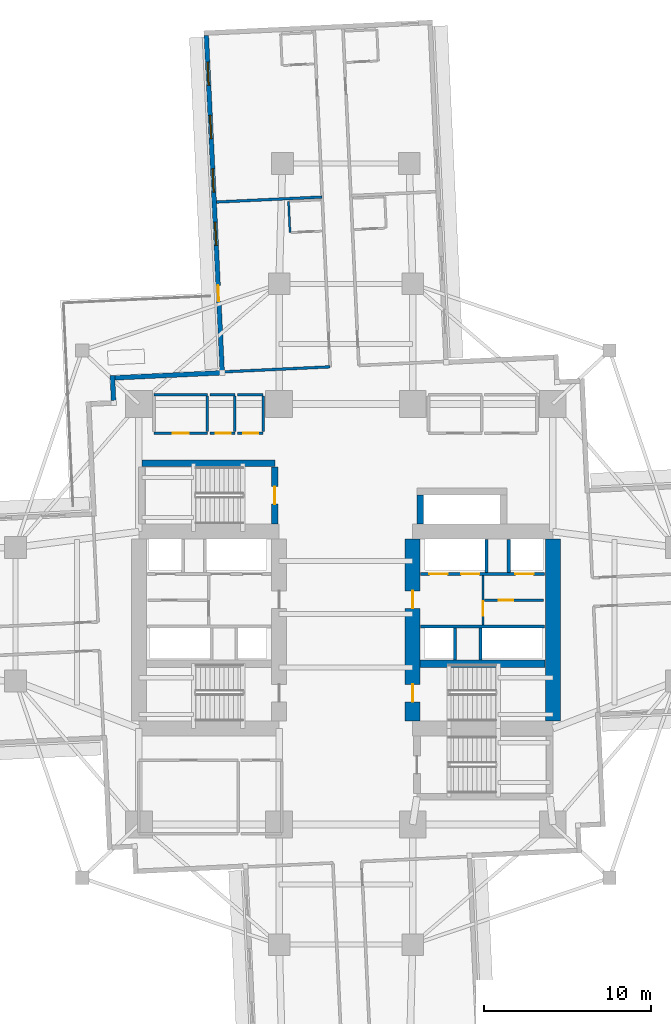
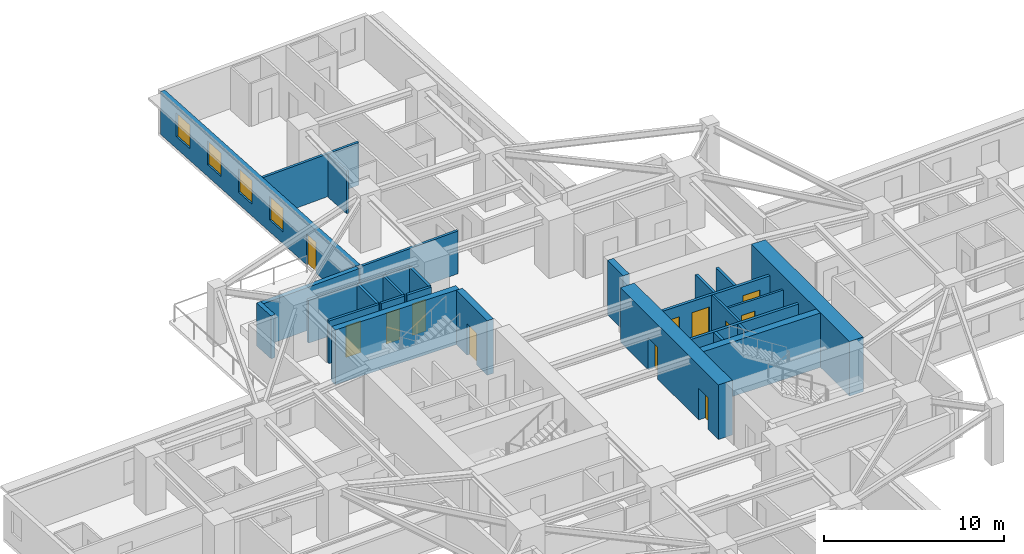
# One storey, part 6 of 14: 29 walls, 12 doors, 4 windows, 16 openings.
"""IFC4 building model written with IfcOpenShell, lengths in metres."""

from ifc_helpers import new_model, si_unit, direction, frame, frame_2d, origin, place, context, subcontext, project, spatial, rectangle, extrude, material, layer, layer_set, type_object, element, fill, save


model = new_model("IFC4")

# Units and contexts
model_context = context("Model", 3, precision=1e-05, world=origin(), true_north=direction((0.0, 1.0)))
body_context = subcontext(model_context, "Body", "Model", "MODEL_VIEW")
ifc_project = project(units=[si_unit("LENGTHUNIT", "METRE"), si_unit("AREAUNIT", "SQUARE_METRE"), si_unit("VOLUMEUNIT", "CUBIC_METRE"), si_unit("PLANEANGLEUNIT", "RADIAN"), si_unit("MASSUNIT", "GRAM", prefix="KILO")], contexts=[model_context])

# Site, building, storey
site_placement = place(None, origin())
site = spatial("IfcSite", under=ifc_project, at=site_placement, CompositionType="ELEMENT")
building_placement = place(site_placement, origin())
building = spatial("IfcBuilding", under=site, at=building_placement, Name="Qingluan Cross Belvedere", CompositionType="ELEMENT")
storey_placement = place(building_placement, frame((0.0, 0.0, 35.39990234375)))
storey = spatial("IfcBuildingStorey", under=building, at=storey_placement, Name="L09", CompositionType="ELEMENT", Elevation=35.39990234375)

# Walls
ifc_material_1 = material(Name="Concrete C50", Category="concrete")
ifc_layer_1 = layer(ifc_material_1, 0.449951171875, Name="CoreShearWall_450")
ifc_layer_set_1 = layer_set([ifc_layer_1], Name="Concrete C50")
wall_type_1 = type_object("IfcWallType", Name="CoreShearWall_450", PredefinedType="SHEAR", material=ifc_layer_set_1)
wall_1_placement = place(storey_placement, frame((4.455078125, -2.9599609375, 0.0), z_axis=(0.0, 0.0, 1.0), x_axis=(1.0, 0.0, 0.0)))
element("IfcWall", 1, at=wall_1_placement, inside=storey, type_object=wall_type_1, Name="Split core E shear wall L09-M", PredefinedType="SHEAR", context=body_context, shape_type="SweptSolid", body=[
    extrude(rectangle(XDim=7.489990234375, YDim=0.449951171875, at=frame_2d((3.7451171875, 0.0))), origin(), (0.0, 0.0, 1.0), 3.7001953125),
])
wall_2_placement = place(storey_placement, frame((-12.219970703125, 9.0400390625, 0.0), z_axis=(0.0, 0.0, 1.0), x_axis=(1.0, 0.0, 0.0)))
element("IfcWall", 2, at=wall_2_placement, inside=storey, type_object=wall_type_1, Name="Stair ST3 structural wall N L09", PredefinedType="SHEAR", context=body_context, shape_type="SweptSolid", body=[
    extrude(rectangle(XDim=7.9599609375, YDim=0.39990234375, at=frame_2d((3.97998046875, 0.0))), origin(), (0.0, 0.0, 1.0), 3.7001953125),
])

# Wall, opening, door
wall_3_placement = place(storey_placement, frame((-4.260009765625, 5.405029296875, 0.0), z_axis=(0.0, 0.0, 1.0), x_axis=(0.0, 1.0, 0.0)))
wall_3 = element("IfcWall", 3, at=wall_3_placement, inside=storey, type_object=wall_type_1, Name="Stair ST3 structural wall E L09", PredefinedType="SHEAR", context=body_context, shape_type="SweptSolid", body=[
    extrude(rectangle(XDim=3.429931640625, YDim=0.39990234375, at=frame_2d((1.71484375, 0.0))), origin(), (0.0, 0.0, 1.0), 3.7001953125),
])
opening_1_placement = place(wall_3_placement, frame((1.195068359375, 0.0, 0.0)))
opening_1 = element("IfcOpeningElement", 4, at=opening_1_placement, cuts=wall_3, Name="Opening FD-B11", PredefinedType="OPENING", context=body_context, shape_type="SweptSolid", body=[
    extrude(rectangle(XDim=1.050048828125, YDim=2.14990234375, at=frame_2d((0.52490234375, 1.074951171875))), frame((0.0, 0.2099609375, 0.0), z_axis=(0.0, -1.0, 0.0), x_axis=(1.0, 0.0, 0.0)), (0.0, 0.0, 1.0), 0.419921875),
])
ifc_material_2 = material(Name="Steel Class B smoke-seal fire door", Category="steel")
door_type_1 = type_object("IfcDoorType", Name="StairLobbyFireDoor_FDB", OperationType="NOTDEFINED", PredefinedType="DOOR", material=ifc_material_2)
door_1_placement = place(opening_1_placement, origin())
door_1 = element("IfcDoor", 5, at=door_1_placement, inside=storey, type_object=door_type_1, Name="Smoke-proof stair ST3 fire door L09", OperationType="SINGLE_SWING_RIGHT", OverallHeight=2.14990234375, OverallWidth=1.050048828125, PredefinedType="DOOR", context=body_context, shape_type="SweptSolid", body=[
    extrude(rectangle(XDim=1.050048828125, YDim=2.14990234375, at=frame_2d((0.52490234375, 1.074951171875))), frame((0.0, 0.02490234375, 0.0), z_axis=(0.0, -1.0, 0.0), x_axis=(1.0, 0.0, 0.0)), (0.0, 0.0, 1.0), 0.050048828125),
])
fill(opening_1, door_1)

# Wall
wall_4_placement = place(storey_placement, frame((4.449951171875, 5.405029296875, 0.0), z_axis=(0.0, 0.0, 1.0), x_axis=(0.0, 1.0, 0.0)))
element("IfcWall", 6, at=wall_4_placement, inside=storey, type_object=wall_type_1, Name="Express shuttle core wall L09-W", PredefinedType="SHEAR", context=body_context, shape_type="SweptSolid", body=[
    extrude(rectangle(XDim=1.73486328125, YDim=0.39990234375, at=frame_2d((0.867431640625, 0.0))), origin(), (0.0, 0.0, 1.0), 3.7001953125),
])

# Wall, openings, doors
ifc_material_3 = material(Name="Concrete C70", Category="concrete")
ifc_layer_2 = layer(ifc_material_3, 0.89990234375, Name="CoreShearWall_900")
ifc_layer_set_2 = layer_set([ifc_layer_2], Name="Concrete C70")
wall_type_2 = type_object("IfcWallType", Name="CoreShearWall_900", PredefinedType="SHEAR", material=ifc_layer_set_2)
wall_5_placement = place(storey_placement, frame((4.0, -6.39501953125, 0.0), z_axis=(0.0, 0.0, 1.0), x_axis=(0.0, 1.0, 0.0)))
wall_5 = element("IfcWall", 7, at=wall_5_placement, inside=storey, type_object=wall_type_2, Name="Split core E shear wall L09-W", PredefinedType="SHEAR", context=body_context, shape_type="SweptSolid", body=[
    extrude(rectangle(XDim=10.89013671875, YDim=0.89990234375, at=frame_2d((5.445068359375, 0.0))), origin(), (0.0, 0.0, 1.0), 3.7001953125),
])
opening_2_placement = place(wall_5_placement, frame((1.14501953125, 0.0, 0.0)))
opening_2 = element("IfcOpeningElement", 8, at=opening_2_placement, cuts=wall_5, Name="Opening FD-B11", PredefinedType="OPENING", context=body_context, shape_type="SweptSolid", body=[
    extrude(rectangle(XDim=1.050048828125, YDim=2.14990234375, at=frame_2d((0.52490234375, 1.074951171875))), frame((0.0, 0.4599609375, 0.0), z_axis=(0.0, -1.0, 0.0), x_axis=(1.0, 0.0, 0.0)), (0.0, 0.0, 1.0), 0.919921875),
])
opening_3_placement = place(wall_5_placement, frame((6.7451171875, 0.0, 0.0)))
opening_3 = element("IfcOpeningElement", 9, at=opening_3_placement, cuts=wall_5, Name="Opening FD-B11", PredefinedType="OPENING", context=body_context, shape_type="SweptSolid", body=[
    extrude(rectangle(XDim=1.050048828125, YDim=2.14990234375, at=frame_2d((0.52490234375, 1.074951171875))), frame((0.0, 0.4599609375, 0.0), z_axis=(0.0, -1.0, 0.0), x_axis=(1.0, 0.0, 0.0)), (0.0, 0.0, 1.0), 0.919921875),
])
door_2_placement = place(opening_2_placement, origin())
door_2 = element("IfcDoor", 10, at=door_2_placement, inside=storey, type_object=door_type_1, Name="Smoke-proof stair ST2 fire door L09", OperationType="SINGLE_SWING_LEFT", OverallHeight=2.14990234375, OverallWidth=1.050048828125, PredefinedType="DOOR", context=body_context, shape_type="SweptSolid", body=[
    extrude(rectangle(XDim=1.050048828125, YDim=2.14990234375, at=frame_2d((0.52490234375, 1.074951171875))), frame((0.0, 0.02490234375, 0.0), z_axis=(0.0, -1.0, 0.0), x_axis=(1.0, 0.0, 0.0)), (0.0, 0.0, 1.0), 0.050048828125),
])
fill(opening_2, door_2)
door_3_placement = place(opening_3_placement, origin())
door_3 = element("IfcDoor", 11, at=door_3_placement, inside=storey, type_object=door_type_1, Name="Firefighting lobby East fire door L09", OperationType="SINGLE_SWING_LEFT", OverallHeight=2.14990234375, OverallWidth=1.050048828125, PredefinedType="DOOR", context=body_context, shape_type="SweptSolid", body=[
    extrude(rectangle(XDim=1.050048828125, YDim=2.14990234375, at=frame_2d((0.52490234375, 1.074951171875))), frame((0.0, 0.02490234375, 0.0), z_axis=(0.0, -1.0, 0.0), x_axis=(1.0, 0.0, 0.0)), (0.0, 0.0, 1.0), 0.050048828125),
])
fill(opening_3, door_3)

# Wall
wall_6_placement = place(storey_placement, frame((12.39990234375, -6.39501953125, 0.0), z_axis=(0.0, 0.0, 1.0), x_axis=(0.0, 1.0, 0.0)))
element("IfcWall", 12, at=wall_6_placement, inside=storey, type_object=wall_type_2, Name="Split core E shear wall L09-E", PredefinedType="SHEAR", context=body_context, shape_type="SweptSolid", body=[
    extrude(rectangle(XDim=10.89013671875, YDim=0.89990234375, at=frame_2d((5.445068359375, 0.0))), origin(), (0.0, 0.0, 1.0), 3.7001953125),
])

# Wall, opening, door
ifc_material_4 = material(Name="Gypsum plasterboard on steel stud acoustic partition", Category="steel")
ifc_layer_3 = layer(ifc_material_4, 0.159912109375, Name="CorridorPartition_160")
ifc_layer_set_3 = layer_set([ifc_layer_3], Name="Gypsum plasterboard on steel stud acoustic partition")
wall_type_3 = type_object("IfcWallType", Name="CorridorPartition_160", PredefinedType="PARTITIONING", material=ifc_layer_set_3)
wall_7_placement = place(storey_placement, frame((8.298095703125, 0.830078125, 0.0), z_axis=(0.0, 0.0, 1.0), x_axis=(1.0, 0.0, 0.0)))
wall_7 = element("IfcWall", 13, at=wall_7_placement, inside=storey, type_object=wall_type_3, Name="Partition L09:e", PredefinedType="PARTITIONING", context=body_context, shape_type="SweptSolid", body=[
    extrude(rectangle(XDim=3.552001953125, YDim=0.139892578125, at=frame_2d((1.77587890625, 0.0))), origin(), (0.0, 0.0, 1.0), 2.900146484375),
])
opening_4_placement = place(wall_7_placement, frame((0.85009765625, 0.0, 0.0)))
opening_4 = element("IfcOpeningElement", 14, at=opening_4_placement, cuts=wall_7, Name="Opening FD-B10", PredefinedType="OPENING", context=body_context, shape_type="SweptSolid", body=[
    extrude(rectangle(XDim=0.8798828125, YDim=2.10009765625, at=frame_2d((0.43994140625, 1.050048828125))), frame((0.0, 0.079833984375, 0.0), z_axis=(0.0, -1.0, 0.0), x_axis=(1.0, 0.0, 0.0)), (0.0, 0.0, 1.0), 0.159912109375),
])
ifc_material_5 = material(Name="Steel Class B service fire door", Category="steel")
door_type_2 = type_object("IfcDoorType", Name="RiserServiceFireDoor_FDB", OperationType="NOTDEFINED", PredefinedType="DOOR", material=ifc_material_5)
door_4_placement = place(opening_4_placement, origin())
door_4 = element("IfcDoor", 15, at=door_4_placement, inside=storey, type_object=door_type_2, Name="Service closet inner door L09", OperationType="SINGLE_SWING_LEFT", OverallHeight=2.10009765625, OverallWidth=0.8798828125, PredefinedType="DOOR", context=body_context, shape_type="SweptSolid", body=[
    extrude(rectangle(XDim=0.8798828125, YDim=2.10009765625, at=frame_2d((0.43994140625, 1.050048828125))), frame((0.0, 0.02490234375, 0.0), z_axis=(0.0, -1.0, 0.0), x_axis=(1.0, 0.0, 0.0)), (0.0, 0.0, 1.0), 0.050048828125),
])
fill(opening_4, door_4)

wall_8_placement = place(storey_placement, frame((-11.5, 10.85009765625, 0.0), z_axis=(0.0, 0.0, 1.0), x_axis=(1.0, 0.0, 0.0)))
wall_8 = element("IfcWall", 16, at=wall_8_placement, inside=storey, type_object=wall_type_3, Name="Partition L09:q_nw_occ:S", PredefinedType="PARTITIONING", context=body_context, shape_type="SweptSolid", body=[
    extrude(rectangle(XDim=3.199951171875, YDim=0.159912109375, at=frame_2d((1.60009765625, 0.0))), origin(), (0.0, 0.0, 1.0), 2.900146484375),
])
opening_5_placement = place(wall_8_placement, frame((1.1201171875, 0.0, 0.0)))
opening_5 = element("IfcOpeningElement", 17, at=opening_5_placement, cuts=wall_8, Name="Opening GD-10", PredefinedType="OPENING", context=body_context, shape_type="SweptSolid", body=[
    extrude(rectangle(XDim=0.9599609375, YDim=2.14990234375, at=frame_2d((0.47998046875, 1.074951171875))), frame((0.0, 0.08984375, 0.0), z_axis=(0.0, -1.0, 0.0), x_axis=(1.0, 0.0, 0.0)), (0.0, 0.0, 1.0), 0.179931640625),
])
ifc_material_6 = material(Name="Timber oak fire-rated acoustic guestroom door", Category="wood")
door_type_3 = type_object("IfcDoorType", Name="GuestEntryDoor_FD60", OperationType="NOTDEFINED", PredefinedType="DOOR", material=ifc_material_6)
door_5_placement = place(opening_5_placement, origin())
door_5 = element("IfcDoor", 18, at=door_5_placement, inside=storey, type_object=door_type_3, Name="Northwest corner reading salon L09 door", OperationType="SINGLE_SWING_RIGHT", OverallHeight=2.14990234375, OverallWidth=0.9599609375, PredefinedType="DOOR", context=body_context, shape_type="SweptSolid", body=[
    extrude(rectangle(XDim=0.9599609375, YDim=2.14990234375, at=frame_2d((0.47998046875, 1.074951171875))), frame((0.0, 0.02490234375, 0.0), z_axis=(0.0, -1.0, 0.0), x_axis=(1.0, 0.0, 0.0)), (0.0, 0.0, 1.0), 0.050048828125),
])
fill(opening_5, door_5)

# Walls
wall_9_placement = place(storey_placement, frame((-11.5, 13.14990234375, 0.0), z_axis=(0.0, 0.0, 1.0), x_axis=(1.0, 0.0, 0.0)))
element("IfcWall", 19, at=wall_9_placement, inside=storey, type_object=wall_type_3, Name="Partition L09:q_nw_occ:N", PredefinedType="PARTITIONING", context=body_context, shape_type="SweptSolid", body=[
    extrude(rectangle(XDim=3.199951171875, YDim=0.159912109375, at=frame_2d((1.60009765625, 0.0))), origin(), (0.0, 0.0, 1.0), 2.900146484375),
])
wall_10_placement = place(storey_placement, frame((-8.300048828125, 10.93505859375, 0.0), z_axis=(0.0, 0.0, 1.0), x_axis=(0.0, 1.0, 0.0)))
element("IfcWall", 20, at=wall_10_placement, inside=storey, type_object=wall_type_3, Name="Partition L09:q_nw_occ:E", PredefinedType="PARTITIONING", context=body_context, shape_type="SweptSolid", body=[
    extrude(rectangle(XDim=2.1298828125, YDim=0.159912109375, at=frame_2d((1.06494140625, 0.0))), origin(), (0.0, 0.0, 1.0), 2.900146484375),
])

# Wall, opening, door
wall_11_placement = place(storey_placement, frame((-8.139892578125, 10.85009765625, 0.0), z_axis=(0.0, 0.0, 1.0), x_axis=(1.0, 0.0, 0.0)))
wall_11 = element("IfcWall", 21, at=wall_11_placement, inside=storey, type_object=wall_type_3, Name="Partition L09:hk_linen:S", PredefinedType="PARTITIONING", context=body_context, shape_type="SweptSolid", body=[
    extrude(rectangle(XDim=1.489990234375, YDim=0.159912109375, at=frame_2d((0.7451171875, 0.0))), origin(), (0.0, 0.0, 1.0), 2.900146484375),
])
opening_6_placement = place(wall_11_placement, frame((0.35009765625, 0.0, 0.0)))
opening_6 = element("IfcOpeningElement", 22, at=opening_6_placement, cuts=wall_11, Name="Opening FD-B10", PredefinedType="OPENING", context=body_context, shape_type="SweptSolid", body=[
    extrude(rectangle(XDim=0.8798828125, YDim=2.10009765625, at=frame_2d((0.43994140625, 1.050048828125))), frame((0.0, 0.08984375, 0.0), z_axis=(0.0, -1.0, 0.0), x_axis=(1.0, 0.0, 0.0)), (0.0, 0.0, 1.0), 0.179931640625),
])
door_6_placement = place(opening_6_placement, origin())
door_6 = element("IfcDoor", 23, at=door_6_placement, inside=storey, type_object=door_type_2, Name="Housekeeping and linen store L09 door", OperationType="SINGLE_SWING_LEFT", OverallHeight=2.10009765625, OverallWidth=0.8798828125, PredefinedType="DOOR", context=body_context, shape_type="SweptSolid", body=[
    extrude(rectangle(XDim=0.8798828125, YDim=2.10009765625, at=frame_2d((0.43994140625, 1.050048828125))), frame((0.0, 0.02490234375, 0.0), z_axis=(0.0, -1.0, 0.0), x_axis=(1.0, 0.0, 0.0)), (0.0, 0.0, 1.0), 0.050048828125),
])
fill(opening_6, door_6)

# Walls
wall_12_placement = place(storey_placement, frame((-8.139892578125, 13.14990234375, 0.0), z_axis=(0.0, 0.0, 1.0), x_axis=(1.0, 0.0, 0.0)))
element("IfcWall", 24, at=wall_12_placement, inside=storey, type_object=wall_type_3, Name="Partition L09:hk_linen:N", PredefinedType="PARTITIONING", context=body_context, shape_type="SweptSolid", body=[
    extrude(rectangle(XDim=1.489990234375, YDim=0.159912109375, at=frame_2d((0.7451171875, 0.0))), origin(), (0.0, 0.0, 1.0), 2.900146484375),
])
wall_13_placement = place(storey_placement, frame((-6.64990234375, 10.93505859375, 0.0), z_axis=(0.0, 0.0, 1.0), x_axis=(0.0, 1.0, 0.0)))
element("IfcWall", 25, at=wall_13_placement, inside=storey, type_object=wall_type_3, Name="Partition L09:hk_linen:E", PredefinedType="PARTITIONING", context=body_context, shape_type="SweptSolid", body=[
    extrude(rectangle(XDim=2.1298828125, YDim=0.159912109375, at=frame_2d((1.06494140625, 0.0))), origin(), (0.0, 0.0, 1.0), 2.900146484375),
])

# Wall, opening, door
wall_14_placement = place(storey_placement, frame((-6.489990234375, 10.85009765625, 0.0), z_axis=(0.0, 0.0, 1.0), x_axis=(1.0, 0.0, 0.0)))
wall_14 = element("IfcWall", 26, at=wall_14_placement, inside=storey, type_object=wall_type_3, Name="Partition L09:floor_acc_wc:S", PredefinedType="PARTITIONING", context=body_context, shape_type="SweptSolid", body=[
    extrude(rectangle(XDim=1.5400390625, YDim=0.159912109375, at=frame_2d((0.77001953125, 0.0))), origin(), (0.0, 0.0, 1.0), 2.900146484375),
])
opening_7_placement = place(wall_14_placement, frame((0.35009765625, 0.0, 0.0)))
opening_7 = element("IfcOpeningElement", 27, at=opening_7_placement, cuts=wall_14, Name="Opening BD-08", PredefinedType="OPENING", context=body_context, shape_type="SweptSolid", body=[
    extrude(rectangle(XDim=0.8798828125, YDim=2.14990234375, at=frame_2d((0.43994140625, 1.074951171875))), frame((0.0, 0.08984375, 0.0), z_axis=(0.0, -1.0, 0.0), x_axis=(1.0, 0.0, 0.0)), (0.0, 0.0, 1.0), 0.179931640625),
])
ifc_material_7 = material(Name="Moisture-sealed timber accessible WC door", Category="wood")
door_type_4 = type_object("IfcDoorType", Name="AccessibleWCDoor_880", OperationType="NOTDEFINED", PredefinedType="DOOR", material=ifc_material_7)
door_7_placement = place(opening_7_placement, origin())
door_7 = element("IfcDoor", 28, at=door_7_placement, inside=storey, type_object=door_type_4, Name="Accessible guest washroom L09 door", OperationType="SINGLE_SWING_RIGHT", OverallHeight=2.14990234375, OverallWidth=0.8798828125, PredefinedType="DOOR", context=body_context, shape_type="SweptSolid", body=[
    extrude(rectangle(XDim=0.8798828125, YDim=2.14990234375, at=frame_2d((0.43994140625, 1.074951171875))), frame((0.0, 0.02490234375, 0.0), z_axis=(0.0, -1.0, 0.0), x_axis=(1.0, 0.0, 0.0)), (0.0, 0.0, 1.0), 0.050048828125),
])
fill(opening_7, door_7)

# Walls
wall_15_placement = place(storey_placement, frame((-6.489990234375, 13.14990234375, 0.0), z_axis=(0.0, 0.0, 1.0), x_axis=(1.0, 0.0, 0.0)))
element("IfcWall", 29, at=wall_15_placement, inside=storey, type_object=wall_type_3, Name="Partition L09:floor_acc_wc:N", PredefinedType="PARTITIONING", context=body_context, shape_type="SweptSolid", body=[
    extrude(rectangle(XDim=1.5400390625, YDim=0.159912109375, at=frame_2d((0.77001953125, 0.0))), origin(), (0.0, 0.0, 1.0), 2.900146484375),
])
wall_16_placement = place(storey_placement, frame((-4.949951171875, 10.93505859375, 0.0), z_axis=(0.0, 0.0, 1.0), x_axis=(0.0, 1.0, 0.0)))
element("IfcWall", 30, at=wall_16_placement, inside=storey, type_object=wall_type_3, Name="Partition L09:floor_acc_wc:E", PredefinedType="PARTITIONING", context=body_context, shape_type="SweptSolid", body=[
    extrude(rectangle(XDim=2.1298828125, YDim=0.159912109375, at=frame_2d((1.06494140625, 0.0))), origin(), (0.0, 0.0, 1.0), 2.900146484375),
])
wall_17_placement = place(storey_placement, frame((-0.939208984375, 14.822265625, 0.0), z_axis=(0.0, 0.0, 1.0), x_axis=(-0.998890444558, -0.047094370901, 0.0)))
element("IfcWall", 31, at=wall_17_placement, inside=storey, type_object=wall_type_3, Name="Partition L09:N:s1", PredefinedType="PARTITIONING", context=body_context, shape_type="SweptSolid", body=[
    extrude(rectangle(XDim=6.47998046875, YDim=0.159912109375, at=frame_2d((3.239990234375, 0.0))), origin(), (0.0, 0.0, 1.0), 2.900146484375),
])
wall_18_placement = place(storey_placement, frame((-1.4189453125, 24.995849609375, 0.0), z_axis=(0.0, 0.0, 1.0), x_axis=(-0.998891222739, -0.047077862468, 0.0)))
element("IfcWall", 32, at=wall_18_placement, inside=storey, type_object=wall_type_3, Name="Partition L09:N:d1_0", PredefinedType="PARTITIONING", context=body_context, shape_type="SweptSolid", body=[
    extrude(rectangle(XDim=6.33203125, YDim=0.159912109375, at=frame_2d((3.166015625, 0.0))), origin(), (0.0, 0.0, 1.0), 2.900146484375),
])
ifc_material_8 = material(Name="Moisture-resistant gypsum board lining")
ifc_layer_4 = layer(ifc_material_8, 0.1201171875, Name="EnsuiteWetPartition_120")
ifc_layer_set_4 = layer_set([ifc_layer_4], Name="Moisture-resistant gypsum board lining")
wall_type_4 = type_object("IfcWallType", Name="EnsuiteWetPartition_120", PredefinedType="PARTITIONING", material=ifc_layer_set_4)
wall_19_placement = place(storey_placement, frame((-3.345703125, 22.86279296875, 0.0), z_axis=(0.0, 0.0, 1.0), x_axis=(-0.047139425368, 0.998888319371, 0.0)))
element("IfcWall", 33, at=wall_19_placement, inside=storey, type_object=wall_type_4, Name="Partition L09:N:bc1_0", PredefinedType="PARTITIONING", context=body_context, shape_type="SweptSolid", body=[
    extrude(rectangle(XDim=1.880126953125, YDim=0.1201171875, at=frame_2d((0.93994140625, 0.0))), origin(), (0.0, 0.0, 1.0), 2.900146484375),
])

# Wall, openings, windows, door
ifc_material_9 = material(Name="Precast concrete C45", Category="concrete")
ifc_layer_5 = layer(ifc_material_9, 0.280029296875, Name="PrecastFacadeWall_280")
ifc_layer_set_5 = layer_set([ifc_layer_5], Name="Precast concrete C45")
wall_type_5 = type_object("IfcWallType", Name="PrecastFacadeWall_280", PredefinedType="STANDARD", material=ifc_layer_set_5)
wall_20_placement = place(storey_placement, frame((-8.363037109375, 34.6845703125, 0.0), z_axis=(0.0, 0.0, 1.0), x_axis=(0.047103473814, -0.998890015344, 0.0)))
wall_20 = element("IfcWall", 34, at=wall_20_placement, inside=storey, type_object=wall_type_5, Name="Facade wall L09-NB", PredefinedType="STANDARD", context=body_context, shape_type="SweptSolid", body=[
    extrude(rectangle(XDim=20.099853515625, YDim=0.280029296875, at=frame_2d((10.0498046875, 0.0))), origin(), (0.0, 0.0, 1.0), 2.91015625),
])
opening_8_placement = place(wall_20_placement, frame((1.60009765625, 0.0, 0.800048828125)))
opening_8 = element("IfcOpeningElement", 35, at=opening_8_placement, cuts=wall_20, Name="Opening W-01", PredefinedType="OPENING", context=body_context, shape_type="SweptSolid", body=[
    extrude(rectangle(XDim=1.39990234375, YDim=1.60009765625, at=frame_2d((0.699951171875, 0.800048828125))), frame((0.0, 0.14990234375, 0.0), z_axis=(0.0, -1.0, 0.0), x_axis=(1.0, 0.0, 0.0)), (0.0, 0.0, 1.0), 0.300048828125),
])
opening_9_placement = place(wall_20_placement, frame((4.800048828125, 0.0, 0.800048828125)))
opening_9 = element("IfcOpeningElement", 36, at=opening_9_placement, cuts=wall_20, Name="Opening W-01", PredefinedType="OPENING", context=body_context, shape_type="SweptSolid", body=[
    extrude(rectangle(XDim=1.39990234375, YDim=1.60009765625, at=frame_2d((0.699951171875, 0.800048828125))), frame((0.0, 0.14990234375, 0.0), z_axis=(0.0, -1.0, 0.0), x_axis=(1.0, 0.0, 0.0)), (0.0, 0.0, 1.0), 0.300048828125),
])
opening_10_placement = place(wall_20_placement, frame((8.0, 0.0, 0.800048828125)))
opening_10 = element("IfcOpeningElement", 37, at=opening_10_placement, cuts=wall_20, Name="Opening W-01", PredefinedType="OPENING", context=body_context, shape_type="SweptSolid", body=[
    extrude(rectangle(XDim=1.39990234375, YDim=1.60009765625, at=frame_2d((0.699951171875, 0.800048828125))), frame((0.0, 0.14990234375, 0.0), z_axis=(0.0, -1.0, 0.0), x_axis=(1.0, 0.0, 0.0)), (0.0, 0.0, 1.0), 0.300048828125),
])
opening_11_placement = place(wall_20_placement, frame((11.199951171875, 0.0, 0.800048828125)))
opening_11 = element("IfcOpeningElement", 38, at=opening_11_placement, cuts=wall_20, Name="Opening W-01", PredefinedType="OPENING", context=body_context, shape_type="SweptSolid", body=[
    extrude(rectangle(XDim=1.39990234375, YDim=1.60009765625, at=frame_2d((0.699951171875, 0.800048828125))), frame((0.0, 0.14990234375, 0.0), z_axis=(0.0, -1.0, 0.0), x_axis=(1.0, 0.0, 0.0)), (0.0, 0.0, 1.0), 0.300048828125),
])
opening_12_placement = place(wall_20_placement, frame((15.0, 0.0, 0.0)))
opening_12 = element("IfcOpeningElement", 39, at=opening_12_placement, cuts=wall_20, Name="Opening WD-10", PredefinedType="OPENING", context=body_context, shape_type="SweptSolid", body=[
    extrude(rectangle(XDim=0.9599609375, YDim=2.10009765625, at=frame_2d((0.47998046875, 1.050048828125))), frame((0.0, 0.14990234375, 0.0), z_axis=(0.0, -1.0, 0.0), x_axis=(1.0, 0.0, 0.0)), (0.0, 0.0, 1.0), 0.300048828125),
])
ifc_material_10 = material(Name="Thermally broken triple Low-E glass in aluminium frame", Category="aluminium")
window_type = type_object("IfcWindowType", Name="TriRibbonWin_1400x1600", PartitioningType="SINGLE_PANEL", PredefinedType="WINDOW", material=ifc_material_10)
window_1_placement = place(opening_8_placement, origin())
window_1 = element("IfcWindow", 40, at=window_1_placement, inside=storey, type_object=window_type, Name="Ribbon window L09-NB-1", OverallHeight=1.60009765625, OverallWidth=1.39990234375, PartitioningType="SINGLE_PANEL", PredefinedType="WINDOW", context=body_context, shape_type="SweptSolid", body=[
    extrude(rectangle(XDim=1.39990234375, YDim=1.60009765625, at=frame_2d((0.699951171875, 0.800048828125))), frame((0.0, 0.030029296875, 0.0), z_axis=(0.0, -1.0, 0.0), x_axis=(1.0, 0.0, 0.0)), (0.0, 0.0, 1.0), 0.06005859375),
])
fill(opening_8, window_1)
window_2_placement = place(opening_9_placement, origin())
window_2 = element("IfcWindow", 41, at=window_2_placement, inside=storey, type_object=window_type, Name="Ribbon window L09-NB-2", OverallHeight=1.60009765625, OverallWidth=1.39990234375, PartitioningType="SINGLE_PANEL", PredefinedType="WINDOW", context=body_context, shape_type="SweptSolid", body=[
    extrude(rectangle(XDim=1.39990234375, YDim=1.60009765625, at=frame_2d((0.699951171875, 0.800048828125))), frame((0.0, 0.030029296875, 0.0), z_axis=(0.0, -1.0, 0.0), x_axis=(1.0, 0.0, 0.0)), (0.0, 0.0, 1.0), 0.06005859375),
])
fill(opening_9, window_2)
window_3_placement = place(opening_10_placement, origin())
window_3 = element("IfcWindow", 42, at=window_3_placement, inside=storey, type_object=window_type, Name="Ribbon window L09-NB-3", OverallHeight=1.60009765625, OverallWidth=1.39990234375, PartitioningType="SINGLE_PANEL", PredefinedType="WINDOW", context=body_context, shape_type="SweptSolid", body=[
    extrude(rectangle(XDim=1.39990234375, YDim=1.60009765625, at=frame_2d((0.699951171875, 0.800048828125))), frame((0.0, 0.030029296875, 0.0), z_axis=(0.0, -1.0, 0.0), x_axis=(1.0, 0.0, 0.0)), (0.0, 0.0, 1.0), 0.06005859375),
])
fill(opening_10, window_3)
window_4_placement = place(opening_11_placement, origin())
window_4 = element("IfcWindow", 43, at=window_4_placement, inside=storey, type_object=window_type, Name="Ribbon window L09-NB-4", OverallHeight=1.60009765625, OverallWidth=1.39990234375, PartitioningType="SINGLE_PANEL", PredefinedType="WINDOW", context=body_context, shape_type="SweptSolid", body=[
    extrude(rectangle(XDim=1.39990234375, YDim=1.60009765625, at=frame_2d((0.699951171875, 0.800048828125))), frame((0.0, 0.030029296875, 0.0), z_axis=(0.0, -1.0, 0.0), x_axis=(1.0, 0.0, 0.0)), (0.0, 0.0, 1.0), 0.06005859375),
])
fill(opening_11, window_4)
ifc_material_11 = material(Name="Thermally broken aluminium and Low-E glass", Category="aluminium")
door_type_5 = type_object("IfcDoorType", Name="WinterGardenDoor_096", OperationType="NOTDEFINED", PredefinedType="DOOR", material=ifc_material_11)
door_8_placement = place(opening_12_placement, origin())
door_8 = element("IfcDoor", 44, at=door_8_placement, inside=storey, type_object=door_type_5, Name="Outdoor terrace access door L09-spi", OperationType="SINGLE_SWING_RIGHT", OverallHeight=2.10009765625, OverallWidth=0.9599609375, PredefinedType="DOOR", context=body_context, shape_type="SweptSolid", body=[
    extrude(rectangle(XDim=0.9599609375, YDim=2.10009765625, at=frame_2d((0.47998046875, 1.050048828125))), frame((0.0, 0.02490234375, 0.0), z_axis=(0.0, -1.0, 0.0), x_axis=(1.0, 0.0, 0.0)), (0.0, 0.0, 1.0), 0.050048828125),
])
fill(opening_12, door_8)

# Walls
wall_21_placement = place(storey_placement, frame((-13.918212890625, 12.798583984375, 0.0), z_axis=(0.0, 0.0, 1.0), x_axis=(-0.047201688113, 0.99888537913, 0.0)))
element("IfcWall", 45, at=wall_21_placement, inside=storey, type_object=wall_type_5, Name="Corner wall L09-NW3", PredefinedType="STANDARD", context=body_context, shape_type="SweptSolid", body=[
    extrude(rectangle(XDim=1.5, YDim=0.280029296875, at=frame_2d((0.75, 0.0))), origin(), (0.0, 0.0, 1.0), 2.91015625),
])
wall_22_placement = place(storey_placement, frame((-13.842529296875, 14.16357421875, 0.0), z_axis=(0.0, 0.0, 1.0), x_axis=(0.998889082162, 0.047123258997, 0.0)))
element("IfcWall", 46, at=wall_22_placement, inside=storey, type_object=wall_type_5, Name="Corner wall L09-NW4", PredefinedType="STANDARD", context=body_context, shape_type="SweptSolid", body=[
    extrude(rectangle(XDim=6.300048828125, YDim=0.280029296875, at=frame_2d((3.14990234375, 0.0))), origin(), (0.0, 0.0, 1.0), 2.91015625),
])

# Wall, openings, doors
ifc_material_12 = material(Name="Concrete C40", Category="concrete")
ifc_layer_6 = layer(ifc_material_12, 0.219970703125, Name="ShaftEnclosureWall_250")
ifc_layer_set_6 = layer_set([ifc_layer_6], Name="Concrete C40")
wall_type_6 = type_object("IfcWallType", Name="ShaftEnclosureWall_250", PredefinedType="SOLIDWALL", material=ifc_layer_set_6)
wall_23_placement = place(storey_placement, frame((4.47998046875, 2.409912109375, 0.0), z_axis=(0.0, 0.0, 1.0), x_axis=(1.0, 0.0, 0.0)))
wall_23 = element("IfcWall", 47, at=wall_23_placement, inside=storey, type_object=wall_type_6, Name="Core-E north hoistway wall L09", PredefinedType="SOLIDWALL", context=body_context, shape_type="SweptSolid", body=[
    extrude(rectangle(XDim=7.419921875, YDim=0.179931640625, at=frame_2d((3.7099609375, 0.0))), origin(), (0.0, 0.0, 1.0), 2.900146484375),
])
opening_13_placement = place(wall_23_placement, frame((5.669921875, 0.0, 0.0)))
opening_13 = element("IfcOpeningElement", 48, at=opening_13_placement, cuts=wall_23, Name="Opening LD-11", PredefinedType="OPENING", context=body_context, shape_type="SweptSolid", body=[
    extrude(rectangle(XDim=1.10009765625, YDim=2.14990234375, at=frame_2d((0.550048828125, 1.074951171875))), frame((0.0, 0.099853515625, 0.0), z_axis=(0.0, -1.0, 0.0), x_axis=(1.0, 0.0, 0.0)), (0.0, 0.0, 1.0), 0.199951171875),
])
opening_14_placement = place(wall_23_placement, frame((0.52001953125, 0.0, 0.0)))
opening_14 = element("IfcOpeningElement", 49, at=opening_14_placement, cuts=wall_23, Name="Opening LD-11", PredefinedType="OPENING", context=body_context, shape_type="SweptSolid", body=[
    extrude(rectangle(XDim=1.10009765625, YDim=2.14990234375, at=frame_2d((0.550048828125, 1.074951171875))), frame((0.0, 0.099853515625, 0.0), z_axis=(0.0, -1.0, 0.0), x_axis=(1.0, 0.0, 0.0)), (0.0, 0.0, 1.0), 0.199951171875),
])
opening_15_placement = place(wall_23_placement, frame((2.419921875, 0.0, 0.0)))
opening_15 = element("IfcOpeningElement", 50, at=opening_15_placement, cuts=wall_23, Name="Opening LD-11", PredefinedType="OPENING", context=body_context, shape_type="SweptSolid", body=[
    extrude(rectangle(XDim=1.10009765625, YDim=2.14990234375, at=frame_2d((0.550048828125, 1.074951171875))), frame((0.0, 0.099853515625, 0.0), z_axis=(0.0, -1.0, 0.0), x_axis=(1.0, 0.0, 0.0)), (0.0, 0.0, 1.0), 0.199951171875),
])
ifc_material_13 = material(Name="Brushed stainless steel centre-opening lift landing door", Category="steel")
door_type_6 = type_object("IfcDoorType", Name="LiftLandingSlidingDoor_1100", OperationType="DOUBLE_DOOR_SLIDING", PredefinedType="DOOR", material=ifc_material_13)
door_9_placement = place(opening_13_placement, origin())
door_9 = element("IfcDoor", 51, at=door_9_placement, inside=storey, type_object=door_type_6, Name="Lift landing sliding door FL2 L09", OperationType="DOUBLE_DOOR_SLIDING", OverallHeight=2.14990234375, OverallWidth=1.10009765625, PredefinedType="DOOR", context=body_context, shape_type="SweptSolid", body=[
    extrude(rectangle(XDim=1.10009765625, YDim=2.14990234375, at=frame_2d((0.550048828125, 1.074951171875))), frame((0.0, 0.02490234375, 0.0), z_axis=(0.0, -1.0, 0.0), x_axis=(1.0, 0.0, 0.0)), (0.0, 0.0, 1.0), 0.050048828125),
])
fill(opening_13, door_9)
door_10_placement = place(opening_14_placement, origin())
door_10 = element("IfcDoor", 52, at=door_10_placement, inside=storey, type_object=door_type_6, Name="Lift landing sliding door LP3 L09", OperationType="DOUBLE_DOOR_SLIDING", OverallHeight=2.14990234375, OverallWidth=1.10009765625, PredefinedType="DOOR", context=body_context, shape_type="SweptSolid", body=[
    extrude(rectangle(XDim=1.10009765625, YDim=2.14990234375, at=frame_2d((0.550048828125, 1.074951171875))), frame((0.0, 0.02490234375, 0.0), z_axis=(0.0, -1.0, 0.0), x_axis=(1.0, 0.0, 0.0)), (0.0, 0.0, 1.0), 0.050048828125),
])
fill(opening_14, door_10)
door_11_placement = place(opening_15_placement, origin())
door_11 = element("IfcDoor", 53, at=door_11_placement, inside=storey, type_object=door_type_6, Name="Lift landing sliding door LP4 L09", OperationType="DOUBLE_DOOR_SLIDING", OverallHeight=2.14990234375, OverallWidth=1.10009765625, PredefinedType="DOOR", context=body_context, shape_type="SweptSolid", body=[
    extrude(rectangle(XDim=1.10009765625, YDim=2.14990234375, at=frame_2d((0.550048828125, 1.074951171875))), frame((0.0, 0.02490234375, 0.0), z_axis=(0.0, -1.0, 0.0), x_axis=(1.0, 0.0, 0.0)), (0.0, 0.0, 1.0), 0.050048828125),
])
fill(opening_15, door_11)

# Walls
wall_24_placement = place(storey_placement, frame((4.47998046875, -0.75, 0.0), z_axis=(0.0, 0.0, 1.0), x_axis=(1.0, 0.0, 0.0)))
element("IfcWall", 54, at=wall_24_placement, inside=storey, type_object=wall_type_6, Name="Core-E mid hoistway wall L09", PredefinedType="SOLIDWALL", context=body_context, shape_type="SweptSolid", body=[
    extrude(rectangle(XDim=7.419921875, YDim=0.179931640625, at=frame_2d((3.7099609375, 0.0))), origin(), (0.0, 0.0, 1.0), 2.900146484375),
])
for number, where, z_axis, x_axis, name in (
    (55, (8.43994140625, 2.5, 0.0), (0.0, 0.0, 1.0), (0.0, 1.0, 0.0), "Hoistway enclosure divider LP4E L09"),
    (56, (9.760009765625, 2.5, 0.0), (0.0, 0.0, 1.0), (0.0, 1.0, 0.0), "Hoistway enclosure divider FL2W L09"),
):
    element("IfcWall", number, at=place(storey_placement, frame(where, z_axis=z_axis, x_axis=x_axis)), inside=storey, type_object=wall_type_6, Name=name, PredefinedType="SOLIDWALL", context=body_context, shape_type="SweptSolid", body=[
        extrude(rectangle(XDim=1.989990234375, YDim=0.179931640625, at=frame_2d((0.9951171875, 0.0))), origin(), (0.0, 0.0, 1.0), 2.900146484375),
    ])
for number, where, z_axis, x_axis, name in (
    (57, (6.5400390625, -2.72998046875, 0.0), (0.0, 0.0, 1.0), (0.0, 1.0, 0.0), "Hoistway enclosure divider LP7E L09"),
    (58, (8.06005859375, -2.72998046875, 0.0), (0.0, 0.0, 1.0), (0.0, 1.0, 0.0), "Hoistway enclosure divider LP9W L09"),
):
    element("IfcWall", number, at=place(storey_placement, frame(where, z_axis=z_axis, x_axis=x_axis)), inside=storey, type_object=wall_type_6, Name=name, PredefinedType="SOLIDWALL", context=body_context, shape_type="SweptSolid", body=[
        extrude(rectangle(XDim=1.889892578125, YDim=0.179931640625, at=frame_2d((0.94482421875, 0.0))), origin(), (0.0, 0.0, 1.0), 2.900146484375),
    ])

# Wall, opening, door
wall_25_placement = place(storey_placement, frame((8.219970703125, -0.64990234375, 0.0), z_axis=(0.0, 0.0, 1.0), x_axis=(0.0, 1.0, 0.0)))
wall_25 = element("IfcWall", 59, at=wall_25_placement, inside=storey, type_object=wall_type_6, Name="Core-E service corridor wall L09", PredefinedType="SOLIDWALL", context=body_context, shape_type="SweptSolid", body=[
    extrude(rectangle(XDim=2.9599609375, YDim=0.139892578125, at=frame_2d((1.47998046875, 0.0))), origin(), (0.0, 0.0, 1.0), 2.900146484375),
])
opening_16_placement = place(wall_25_placement, frame((0.550048828125, 0.0, 0.0)))
opening_16 = element("IfcOpeningElement", 60, at=opening_16_placement, cuts=wall_25, Name="Opening FD-B10", PredefinedType="OPENING", context=body_context, shape_type="SweptSolid", body=[
    extrude(rectangle(XDim=0.8798828125, YDim=2.10009765625, at=frame_2d((0.43994140625, 1.050048828125))), frame((0.0, 0.079833984375, 0.0), z_axis=(0.0, -1.0, 0.0), x_axis=(1.0, 0.0, 0.0)), (0.0, 0.0, 1.0), 0.159912109375),
])
door_12_placement = place(opening_16_placement, origin())
door_12 = element("IfcDoor", 61, at=door_12_placement, inside=storey, type_object=door_type_2, Name="Core-E service room door L09", OperationType="SINGLE_SWING_LEFT", OverallHeight=2.10009765625, OverallWidth=0.8798828125, PredefinedType="DOOR", context=body_context, shape_type="SweptSolid", body=[
    extrude(rectangle(XDim=0.8798828125, YDim=2.10009765625, at=frame_2d((0.43994140625, 1.050048828125))), frame((0.0, 0.02490234375, 0.0), z_axis=(0.0, -1.0, 0.0), x_axis=(1.0, 0.0, 0.0)), (0.0, 0.0, 1.0), 0.050048828125),
])
fill(opening_16, door_12)

save(model, "model.ifc")
